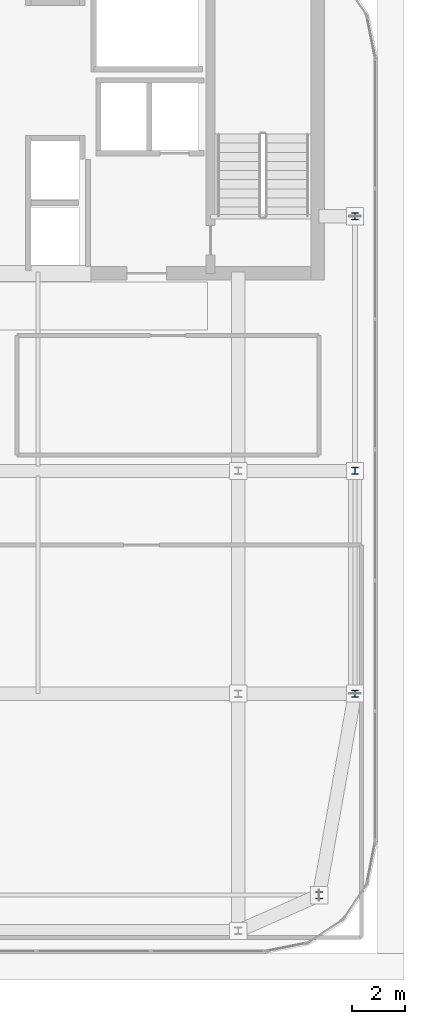
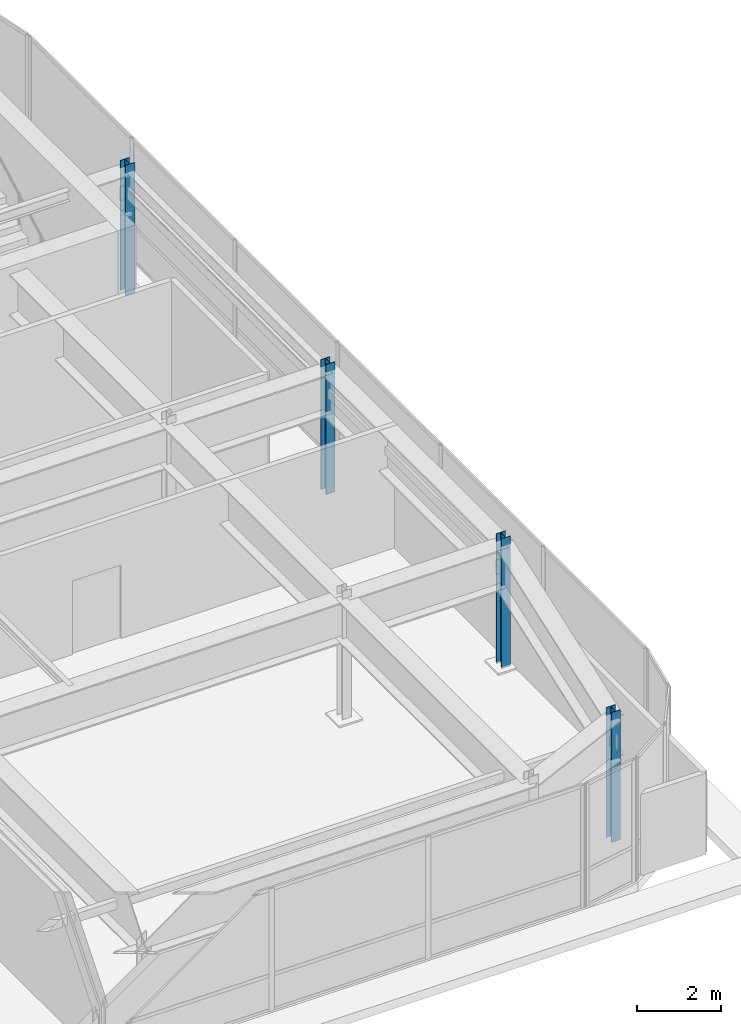
# One storey, part 3 of 35: 4 columns.
"""IFC4 building model written with IfcOpenShell, lengths in metres."""

from ifc_helpers import new_model, si_unit, direction, frame, origin, origin_2d, place, context, subcontext, project, spatial, i_section, extrude, source, transform, mapped, material, material_profile, profile_set, type_object, type_shapes, element, save


model = new_model("IFC4")

# Units and contexts
model_context = context("Model", 3, precision=1e-05, world=origin(), true_north=direction((0.0, 1.0)))
body_context = subcontext(model_context, "Body", "Model", "MODEL_VIEW")
ifc_project = project(units=[si_unit("LENGTHUNIT", "METRE"), si_unit("AREAUNIT", "SQUARE_METRE"), si_unit("VOLUMEUNIT", "CUBIC_METRE"), si_unit("PLANEANGLEUNIT", "RADIAN"), si_unit("MASSUNIT", "GRAM", prefix="KILO")], contexts=[model_context])

# Site, building, storey
site_placement = place(None, origin())
site = spatial("IfcSite", under=ifc_project, at=site_placement, CompositionType="ELEMENT")
building_placement = place(site_placement, origin())
building = spatial("IfcBuilding", under=site, at=building_placement, Name="Tolvann Quenvar Hotel", CompositionType="ELEMENT")
storey_placement = place(building_placement, frame((0.0, 0.0, 290.949951171875)))
storey = spatial("IfcBuildingStorey", under=building, at=storey_placement, Name="L77", CompositionType="ELEMENT", Elevation=290.949951171875)

# Columns
ifc_material = material(Name="Steel Grade 350", Category="steel")
ifc_material_profile = material_profile(ifc_material, i_section(OverallWidth=0.256103515625, OverallDepth=0.260009765625, WebThickness=0.010498046875, FlangeThickness=0.017333984375, FilletRadius=0.013916015625, at=origin_2d()), Name="250UC90")
ifc_profile_set = profile_set([ifc_material_profile], Name="Steel Grade 350")
column_type = type_object("IfcColumnType", Name="COL_250UC90", PredefinedType="COLUMN", material=ifc_profile_set)
shared_shape = source(origin(), body_context, "Body", "SweptSolid", [
    extrude(i_section(OverallWidth=0.256103515625, OverallDepth=0.260009765625, WebThickness=0.010498046875, FlangeThickness=0.017333984375, FilletRadius=0.013916015625, at=origin_2d()), origin(), (0.0, 0.0, 1.0), 3.800048828125),
])
type_shapes(column_type, [shared_shape])
for number, where, z_axis, x_axis, name in (
    (1, (35.800048828125, 8.39990234375, 0.0), (0.0, 0.0, 1.0), (1.0, 0.0, 0.0), "Column G2 (L77)"),
    (2, (37.14990234375, 16.0, 0.0), (0.0, 0.0, 1.0), (1.0, 0.0, 0.0), "Column G4 (L77)"),
    (3, (37.14990234375, 24.39990234375, 0.0), (0.0, 0.0, 1.0), (1.0, 0.0, 0.0), "Column G5 (L77)"),
    (4, (37.14990234375, 34.0, 0.0), (0.0, 0.0, 1.0), (1.0, 0.0, 0.0), "Column GD6 (L77)"),
):
    element("IfcColumn", number, at=place(storey_placement, frame(where, z_axis=z_axis, x_axis=x_axis)), inside=storey, type_object=column_type, Name=name, PredefinedType="COLUMN", context=body_context, shape_type="MappedRepresentation", body=[
        mapped(shared_shape, transform((0.0, 0.0, 0.0), x_axis=(1.0, 0.0, 0.0), y_axis=(0.0, 1.0, 0.0), z_axis=(0.0, 0.0, 1.0), scale=1.0)),
    ])

save(model, "model.ifc")
